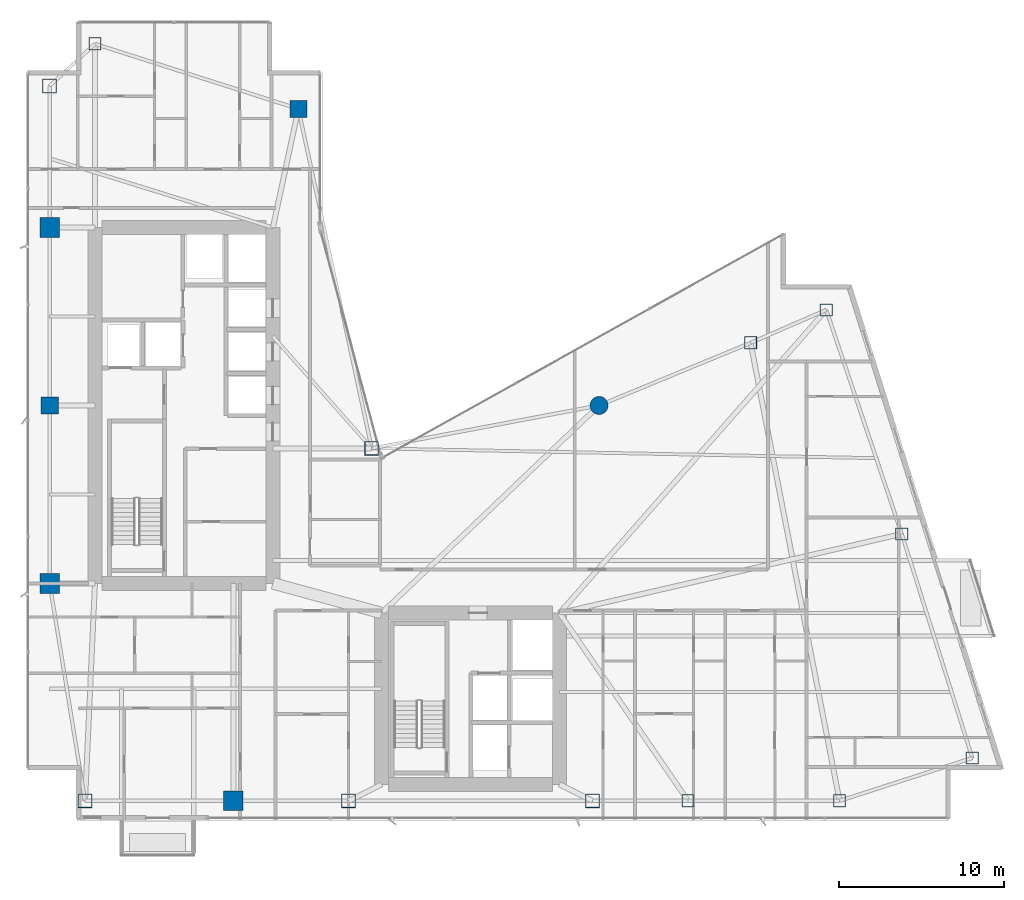
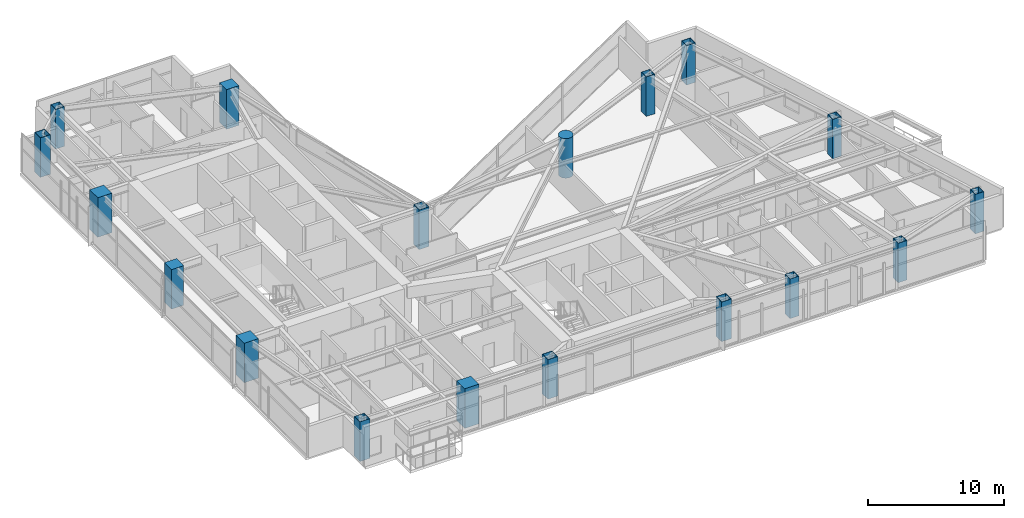
# One storey, part 1 of 29: 18 columns.
"""IFC4 building model written with IfcOpenShell, lengths in metres."""

import ifcopenshell
import ifcopenshell.guid

model = None  # the IFC model being written
_history = None  # IfcOwnerHistory: only IFC2X3 demands one
_inside = {}  # id of a spatial element -> (the spatial element, [elements in it])
_under = {}  # id of a project, library or spatial element -> (it, [spatial elements below it])
_declared = {}  # id of a project -> (the project, [libraries it declares])
_typed = {}  # id of a type object -> (the type object, [elements of that type])
_made_of = {}  # id of a material, layer set ... -> (it, [elements and type objects made of it])


def new_model(schema):
    """Start an empty IFC model of exactly this schema.

    Asked for "IFC4X3", IfcOpenShell would pick the latest addendum, in which some entities
    have other attributes; the version numbers below select the first issue.
    IFC2X3 requires an IfcOwnerHistory on every rooted entity: one is made here for all.
    """
    global model, _history
    if schema == "IFC4X3":
        model = ifcopenshell.file(schema_version=(4, 3, 0, 0))
    else:
        model = ifcopenshell.file(schema=schema)
    _inside.clear()
    _under.clear()
    _declared.clear()
    _typed.clear()
    _made_of.clear()
    _history = None
    if model.schema == "IFC2X3":
        org = make("IfcOrganization", Name="unknown")
        user = make(
            "IfcPersonAndOrganization",
            ThePerson=make("IfcPerson", FamilyName="unknown"),
            TheOrganization=org,
        )
        app = make(
            "IfcApplication",
            ApplicationDeveloper=org,
            Version="unknown",
            ApplicationFullName="unknown",
            ApplicationIdentifier="unknown",
        )
        _history = make(
            "IfcOwnerHistory",
            OwningUser=user,
            OwningApplication=app,
            ChangeAction="ADDED",
            CreationDate=0,
        )
    return model


def make(cls, **values):
    """One entity of the class cls with the attributes given. An attribute that is None is left unset."""
    return model.create_entity(
        cls, **{name: value for name, value in values.items() if value is not None}
    )


def rooted(cls, **values):
    """An entity with a GlobalId (a new one), such as an element, a storey or a relation."""
    return make(cls, GlobalId=ifcopenshell.guid.new(), OwnerHistory=_history, **values)


def si_unit(unit_type, name, prefix=None):
    """IfcSIUnit, for example si_unit("LENGTHUNIT", "METRE", prefix="MILLI")."""
    return make("IfcSIUnit", UnitType=unit_type, Prefix=prefix, Name=name)


def assignment(units):
    """IfcUnitAssignment: the units of a project."""
    return None if units is None else make("IfcUnitAssignment", Units=units)


def point(xyz):
    """IfcCartesianPoint."""
    return None if xyz is None else make("IfcCartesianPoint", Coordinates=xyz)


def direction(xyz):
    """IfcDirection."""
    return None if xyz is None else make("IfcDirection", DirectionRatios=xyz)


def frame(location, z_axis=None, x_axis=None):
    """IfcAxis2Placement3D, a coordinate frame: its origin and axes. An axis left out is left unset."""
    return make(
        "IfcAxis2Placement3D",
        Location=point(location),
        Axis=direction(z_axis),
        RefDirection=direction(x_axis),
    )


def frame_2d(location, x_axis=None):
    """IfcAxis2Placement2D, a coordinate frame in the plane: its origin and x axis."""
    return make(
        "IfcAxis2Placement2D", Location=point(location), RefDirection=direction(x_axis)
    )


def origin():
    """The frame at (0, 0, 0) with its axes left unset."""
    return frame((0.0, 0.0, 0.0))


def origin_2d():
    """The frame at (0, 0) in the plane with its x axis left unset."""
    return frame_2d((0.0, 0.0))


def place(relative_to, where):
    """IfcLocalPlacement: puts the frame where relative to a parent placement (None: the world)."""
    return make(
        "IfcLocalPlacement", PlacementRelTo=relative_to, RelativePlacement=where
    )


def context(
    kind, dimensions, precision=None, world=None, true_north=None, identifier=None
):
    """IfcGeometricRepresentationContext, for example the 3D "Model" context."""
    return make(
        "IfcGeometricRepresentationContext",
        ContextIdentifier=identifier,
        ContextType=kind,
        CoordinateSpaceDimension=dimensions,
        Precision=precision,
        WorldCoordinateSystem=world,
        TrueNorth=true_north,
    )


def subcontext(parent, identifier, kind, view, scale=None):
    """IfcGeometricRepresentationSubContext, for example "Body" below "Model"."""
    return make(
        "IfcGeometricRepresentationSubContext",
        ContextIdentifier=identifier,
        ContextType=kind,
        ParentContext=parent,
        TargetScale=scale,
        TargetView=view,
    )


def project(units=None, contexts=None):
    """IfcProject with its units and contexts."""
    return rooted(
        "IfcProject",
        Name="project",
        RepresentationContexts=contexts,
        UnitsInContext=assignment(units),
    )


def spatial(cls, under=None, at=None, **own):
    """A site, building, storey or space (cls), placed at a placement, below another one or the project."""
    s = rooted(cls, ObjectPlacement=at, **own)
    if under is not None:
        _under.setdefault(under.id(), (under, []))[1].append(s)
    return s


def profile(cls, at=None, kind="AREA", **sizes):
    """A parametric profile (cls). Its sizes go by their IFC names, for example OverallWidth=200.0."""
    return make(cls, ProfileType=kind, Position=at, **sizes)


def rectangle(**sizes):
    """IfcRectangleProfileDef."""
    return profile("IfcRectangleProfileDef", **sizes)


def hollow_rectangle(**sizes):
    """IfcRectangleHollowProfileDef."""
    return profile("IfcRectangleHollowProfileDef", **sizes)


def circle(**sizes):
    """IfcCircleProfileDef."""
    return profile("IfcCircleProfileDef", **sizes)


def extrude(swept, where, along, depth):
    """IfcExtrudedAreaSolid: the profile swept, set in the frame where, extruded along a direction by depth."""
    return make(
        "IfcExtrudedAreaSolid",
        SweptArea=swept,
        Position=where,
        ExtrudedDirection=direction(along),
        Depth=depth,
    )


def shape(context_of_items, identifier, shape_type, items):
    """IfcShapeRepresentation: the items that make up one representation, for example the "Body"."""
    return make(
        "IfcShapeRepresentation",
        ContextOfItems=context_of_items,
        RepresentationIdentifier=identifier,
        RepresentationType=shape_type,
        Items=items,
    )


def material(Name=None, Category=None):
    """IfcMaterial."""
    return make("IfcMaterial", Name=Name, Category=Category)


def material_profile(
    of_material, cross_section, Name=None, Category=None, Priority=None
):
    """IfcMaterialProfile: a cross section and its material."""
    return make(
        "IfcMaterialProfile",
        Name=Name,
        Material=of_material,
        Profile=cross_section,
        Priority=Priority,
        Category=Category,
    )


def profile_set(profiles, Name=None, composite=None):
    """IfcMaterialProfileSet."""
    return make(
        "IfcMaterialProfileSet",
        Name=Name,
        MaterialProfiles=profiles,
        CompositeProfile=composite,
    )


def made_of(thing, what):
    """Note that an element or type object is made of a material, layer set ...; save() writes the relation."""
    if what is not None:
        _made_of.setdefault(what.id(), (what, []))[1].append(thing)
    return thing


def type_object(cls, material=None, **own):
    """A type object (cls), such as IfcWallType, which elements share."""
    return made_of(rooted(cls, **own), material)


def element(
    cls,
    number,
    at=None,
    inside=None,
    cuts=None,
    type_object=None,
    material=None,
    context=None,
    identifier="Body",
    shape_type=None,
    held_by="IfcProductDefinitionShape",
    body=None,
    shapes=None,
    **own,
):
    """One element of the class cls, such as IfcWall. Its Tag is "e" and its number.

    at: its placement. inside: the storey or other place that contains it. cuts: it is an
    opening in that element (IfcRelVoidsElement). A single representation is given by context,
    identifier, shape_type and body (its items); several are given by shapes. held_by: the class
    of the entity that holds the representations. save() writes the other relations.
    """
    e = rooted(cls, Tag="e%d" % number, ObjectPlacement=at, **own)
    if body is not None:
        shapes = [shape(context, identifier, shape_type, body)]
    if shapes is not None:
        e.Representation = make(held_by, Representations=shapes)
    if inside is not None:
        _inside.setdefault(inside.id(), (inside, []))[1].append(e)
    if cuts is not None:
        rooted(
            "IfcRelVoidsElement", RelatingBuildingElement=cuts, RelatedOpeningElement=e
        )
    if type_object is not None:
        _typed.setdefault(type_object.id(), (type_object, []))[1].append(e)
    return made_of(e, material)


def aggregate(whole, parts):
    """IfcRelAggregates: a whole, such as a stair, and the parts it consists of."""
    return rooted("IfcRelAggregates", RelatingObject=whole, RelatedObjects=parts)


def save(model, path):
    """Write the relations noted so far, then the file.

    IfcRelAggregates (storeys below a building ...), IfcRelContainedInSpatialStructure (elements
    in a storey), IfcRelDefinesByType, IfcRelAssociatesMaterial and IfcRelDeclares: one each for
    every whole, place, type object, material and project.
    """
    for whole, parts in _under.values():
        aggregate(whole, parts)
    for where, things in _inside.values():
        rooted(
            "IfcRelContainedInSpatialStructure",
            RelatedElements=things,
            RelatingStructure=where,
        )
    for kind, things in _typed.values():
        rooted("IfcRelDefinesByType", RelatedObjects=things, RelatingType=kind)
    for what, things in _made_of.values():
        rooted("IfcRelAssociatesMaterial", RelatedObjects=things, RelatingMaterial=what)
    for by, libraries in _declared.values():
        rooted("IfcRelDeclares", RelatingContext=by, RelatedDefinitions=libraries)
    model.write(path)


model = new_model("IFC4")

# Units and contexts
model_context = context("Model", 3, precision=1e-05, world=origin(), true_north=direction((0.0, 1.0)))
body_context = subcontext(model_context, "Body", "Model", "MODEL_VIEW")
ifc_project = project(units=[si_unit("LENGTHUNIT", "METRE"), si_unit("AREAUNIT", "SQUARE_METRE"), si_unit("VOLUMEUNIT", "CUBIC_METRE"), si_unit("PLANEANGLEUNIT", "RADIAN"), si_unit("MASSUNIT", "GRAM", prefix="KILO")], contexts=[model_context])

# Site, building, storey
site_placement = place(None, origin())
site = spatial("IfcSite", under=ifc_project, at=site_placement, CompositionType="ELEMENT")
building_placement = place(site_placement, origin())
building = spatial("IfcBuilding", under=site, at=building_placement, Name="Calvorn Quay Hotel", CompositionType="ELEMENT")
storey_placement = place(building_placement, frame((0.0, 0.0, 105.0)))
storey = spatial("IfcBuildingStorey", under=building, at=storey_placement, Name="L25", CompositionType="ELEMENT", Elevation=105.0)

# Columns
ifc_material_1 = material(Name="Concrete C50", Category="concrete")
ifc_material_profile_1 = material_profile(ifc_material_1, rectangle(XDim=1.050048828125, YDim=1.050048828125, at=origin_2d()), Name="RC1050x1050")
ifc_profile_set_1 = profile_set([ifc_material_profile_1], Name="Concrete C50")
column_type_1 = type_object("IfcColumnType", Name="COL-RC-1050", PredefinedType="COLUMN", material=ifc_profile_set_1)
for number, where, z_axis, x_axis, name in (
    (1, (1.449951171875, 27.60009765625, 0.0), (0.0, 0.0, 1.0), (1.0, 0.0, 0.0), "Column C-W3 (L25)"),
    (2, (16.550048828125, 45.60009765625, 0.0), (0.0, 0.0, 1.0), (1.0, 0.0, 0.0), "Column C-IC1 (L25)"),
):
    element("IfcColumn", number, at=place(storey_placement, frame(where, z_axis=z_axis, x_axis=x_axis)), inside=storey, type_object=column_type_1, Name=name, PredefinedType="COLUMN", context=body_context, shape_type="SweptSolid", body=[
        extrude(rectangle(XDim=1.050048828125, YDim=1.050048828125, at=origin_2d()), origin(), (0.0, 0.0, 1.0), 3.56005859375),
    ])
ifc_material_2 = material(Name="Concrete C50", Category="concrete")
ifc_material_profile_2 = material_profile(ifc_material_2, rectangle(XDim=1.199951171875, YDim=1.199951171875, at=origin_2d()), Name="RC1200x1200")
ifc_profile_set_2 = profile_set([ifc_material_profile_2], Name="Concrete C50")
column_type_2 = type_object("IfcColumnType", Name="COL-RC-1200", PredefinedType="COLUMN", material=ifc_profile_set_2)
for number, where, z_axis, x_axis, name in (
    (3, (1.449951171875, 16.800048828125, 0.0), (0.0, 0.0, 1.0), (1.0, 0.0, 0.0), "Column C-W2 (L25)"),
    (4, (1.449951171875, 38.39990234375, 0.0), (0.0, 0.0, 1.0), (1.0, 0.0, 0.0), "Column C-W4 (L25)"),
    (5, (12.60009765625, 3.60009765625, 0.0), (0.0, 0.0, 1.0), (1.0, 0.0, 0.0), "Column C-S1 (L25)"),
):
    element("IfcColumn", number, at=place(storey_placement, frame(where, z_axis=z_axis, x_axis=x_axis)), inside=storey, type_object=column_type_2, Name=name, PredefinedType="COLUMN", context=body_context, shape_type="SweptSolid", body=[
        extrude(rectangle(XDim=1.199951171875, YDim=1.199951171875, at=origin_2d()), origin(), (0.0, 0.0, 1.0), 3.56005859375),
    ])
ifc_material_3 = material(Name="Concrete C50", Category="concrete")
ifc_material_profile_3 = material_profile(ifc_material_3, circle(Radius=0.550048828125, at=origin_2d()), Name="RCD1100")
ifc_profile_set_3 = profile_set([ifc_material_profile_3], Name="Concrete C50")
column_type_3 = type_object("IfcColumnType", Name="COL-RC-D1100", PredefinedType="COLUMN", material=ifc_profile_set_3)
column_placement = place(storey_placement, frame((34.800048828125, 27.60009765625, 0.0), z_axis=(0.0, 0.0, 1.0), x_axis=(1.0, 0.0, 0.0)))
element("IfcColumn", 6, at=column_placement, inside=storey, type_object=column_type_3, Name="Column C-NC1 (L25)", PredefinedType="COLUMN", context=body_context, shape_type="SweptSolid", body=[
    extrude(circle(Radius=0.550048828125, at=origin_2d()), origin(), (0.0, 0.0, 1.0), 3.56005859375),
])
ifc_material_4 = material(Name="Steel Q390GJC", Category="steel")
ifc_material_profile_4 = material_profile(ifc_material_4, hollow_rectangle(XDim=0.85009765625, YDim=0.85009765625, WallThickness=0.035888671875, at=origin_2d()), Name="BOX850x850x36")
ifc_profile_set_4 = profile_set([ifc_material_profile_4], Name="Steel Q390GJC")
column_type_4 = type_object("IfcColumnType", Name="COL-STL-Z2", PredefinedType="COLUMN", material=ifc_profile_set_4)
for number, where, z_axis, x_axis, name in (
    (7, (3.60009765625, 3.60009765625, 0.0), (0.0, 0.0, 1.0), (1.0, 0.0, 0.0), "Column C-W1 (L25)"),
    (8, (1.449951171875, 47.0, 0.0), (0.0, 0.0, 1.0), (1.0, 0.0, 0.0), "Column C-W5 (L25)"),
    (9, (21.0, 25.0, 0.0), (0.0, 0.0, 1.0), (1.0, 0.0, 0.0), "Column C-IC2 (L25)"),
    (10, (19.60009765625, 3.60009765625, 0.0), (0.0, 0.0, 1.0), (1.0, 0.0, 0.0), "Column C-S2 (L25)"),
    (11, (34.39990234375, 3.60009765625, 0.0), (0.0, 0.0, 1.0), (1.0, 0.0, 0.0), "Column C-S3 (L25)"),
):
    element("IfcColumn", number, at=place(storey_placement, frame(where, z_axis=z_axis, x_axis=x_axis)), inside=storey, type_object=column_type_4, Name=name, PredefinedType="COLUMN", context=body_context, shape_type="SweptSolid", body=[
        extrude(hollow_rectangle(XDim=0.85009765625, YDim=0.85009765625, WallThickness=0.035888671875, at=origin_2d()), origin(), (0.0, 0.0, 1.0), 3.56005859375),
    ])
ifc_material_5 = material(Name="Steel Q390GJC", Category="steel")
ifc_material_profile_5 = material_profile(ifc_material_5, hollow_rectangle(XDim=0.75, YDim=0.75, WallThickness=0.031982421875, at=origin_2d()), Name="BOX750x750x32")
ifc_profile_set_5 = profile_set([ifc_material_profile_5], Name="Steel Q390GJC")
column_type_5 = type_object("IfcColumnType", Name="COL-STL-Z3", PredefinedType="COLUMN", material=ifc_profile_set_5)
for number, where, z_axis, x_axis, name in (
    (12, (4.199951171875, 49.550048828125, 0.0), (0.0, 0.0, 1.0), (1.0, 0.0, 0.0), "Column C-NW1 (L25)"),
    (13, (40.199951171875, 3.60009765625, 0.0), (0.0, 0.0, 1.0), (1.0, 0.0, 0.0), "Column C-S4 (L25)"),
    (14, (49.39990234375, 3.60009765625, 0.0), (0.0, 0.0, 1.0), (1.0, 0.0, 0.0), "Column C-S5 (L25)"),
    (15, (44.0, 31.39990234375, 0.0), (0.0, 0.0, 1.0), (1.0, 0.0, 0.0), "Column C-NC2 (L25)"),
    (16, (57.4609375, 6.199951171875, 0.0), (0.0, 0.0, 1.0), (1.0, 0.0, 0.0), "Column C-ET1 (L25)"),
    (17, (53.176025390625, 19.800048828125, 0.0), (0.0, 0.0, 1.0), (1.0, 0.0, 0.0), "Column C-ET2 (L25)"),
    (18, (48.591064453125, 33.39990234375, 0.0), (0.0, 0.0, 1.0), (1.0, 0.0, 0.0), "Column C-ET3 (L25)"),
):
    element("IfcColumn", number, at=place(storey_placement, frame(where, z_axis=z_axis, x_axis=x_axis)), inside=storey, type_object=column_type_5, Name=name, PredefinedType="COLUMN", context=body_context, shape_type="SweptSolid", body=[
        extrude(hollow_rectangle(XDim=0.75, YDim=0.75, WallThickness=0.031982421875, at=origin_2d()), origin(), (0.0, 0.0, 1.0), 3.56005859375),
    ])

save(model, "model.ifc")
